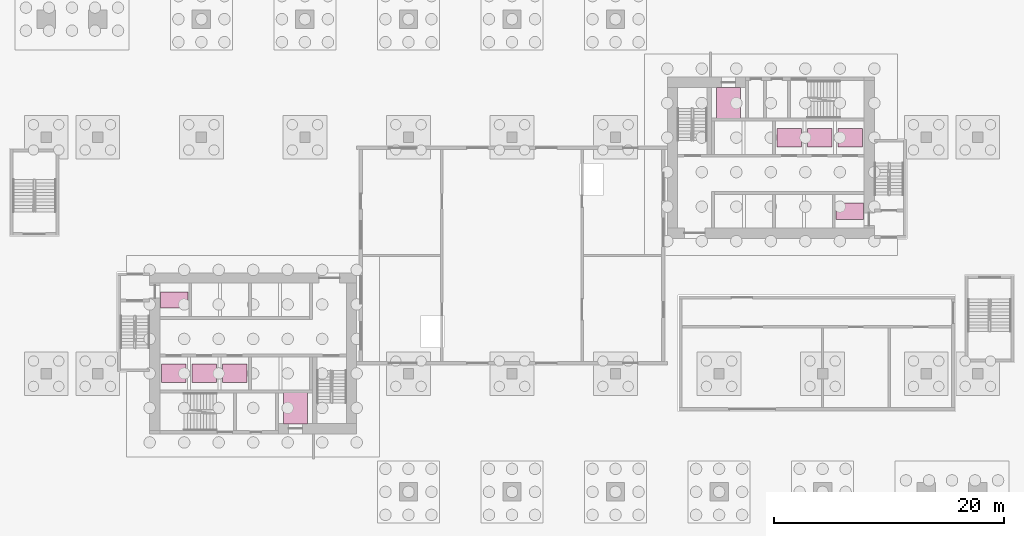
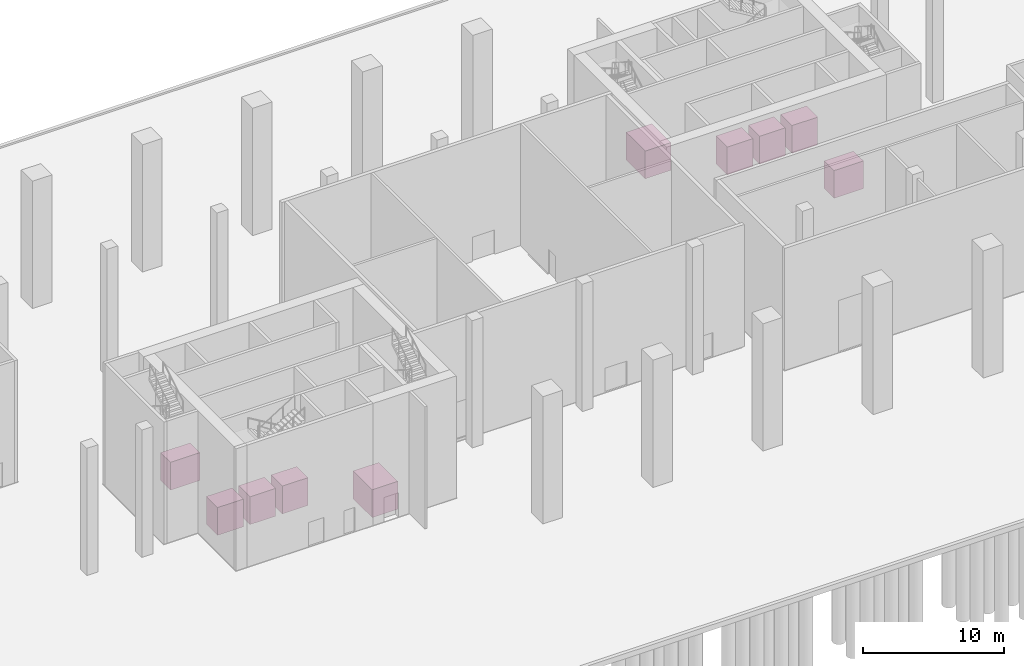
# One storey, part 26 of 26: 10 transport elements.
"""IFC4 building model written with IfcOpenShell, lengths in metres."""

from ifc_helpers import new_model, si_unit, direction, frame, origin, origin_2d, place, context, subcontext, project, spatial, rectangle, extrude, material, type_object, element, save


model = new_model("IFC4")

# Units and contexts
model_context = context("Model", 3, precision=1e-05, world=origin(), true_north=direction((0.0, 1.0)))
body_context = subcontext(model_context, "Body", "Model", "MODEL_VIEW")
ifc_project = project(units=[si_unit("LENGTHUNIT", "METRE"), si_unit("AREAUNIT", "SQUARE_METRE"), si_unit("VOLUMEUNIT", "CUBIC_METRE"), si_unit("PLANEANGLEUNIT", "RADIAN"), si_unit("MASSUNIT", "GRAM", prefix="KILO")], contexts=[model_context])

# Site, building, storey
site_placement = place(None, origin())
site = spatial("IfcSite", under=ifc_project, at=site_placement, CompositionType="ELEMENT")
building_placement = place(site_placement, origin())
building = spatial("IfcBuilding", under=site, at=building_placement, Name="Kajstack Hotel Tower", CompositionType="ELEMENT")
storey_placement = place(building_placement, origin())
storey = spatial("IfcBuildingStorey", under=building, at=storey_placement, Name="L00", CompositionType="ELEMENT", Elevation=0.0)

# Transport elements
ifc_material = material(Name="Stainless steel", Category="steel")
transport_element_type_1 = type_object("IfcTransportElementType", Name="Fire-fighting lift", PredefinedType="ELEVATOR", material=ifc_material)
for number, where, z_axis, x_axis, name in (
    (1, (-29.35009765625, -3.85009765625, 0.0), (0.0, 0.0, 1.0), (1.0, 0.0, 0.0), "Firefighting lift FF1"),
    (2, (29.35009765625, 3.85009765625, 0.0), (0.0, 0.0, 1.0), (1.0, 0.0, 0.0), "Firefighting lift FF2"),
):
    element("IfcTransportElement", number, at=place(storey_placement, frame(where, z_axis=z_axis, x_axis=x_axis)), inside=storey, type_object=transport_element_type_1, Name=name, PredefinedType="ELEVATOR", context=body_context, shape_type="SweptSolid", body=[
        extrude(rectangle(XDim=2.39990234375, YDim=1.39990234375, at=origin_2d()), origin(), (0.0, 0.0, 1.0), 2.39990234375),
    ])
transport_element_type_2 = type_object("IfcTransportElementType", Name="Passenger lift low-rise", PredefinedType="ELEVATOR", material=ifc_material)
for number, where, z_axis, x_axis, name in (
    (3, (-29.39990234375, -10.25, 0.0), (0.0, 0.0, 1.0), (1.0, 0.0, 0.0), "Passenger lift LR1"),
    (4, (-26.75, -10.25, 0.0), (0.0, 0.0, 1.0), (1.0, 0.0, 0.0), "Passenger lift LR2"),
    (5, (-24.10009765625, -10.25, 0.0), (0.0, 0.0, 1.0), (1.0, 0.0, 0.0), "Passenger lift LR3"),
    (6, (29.39990234375, 10.25, 0.0), (0.0, 0.0, 1.0), (1.0, 0.0, 0.0), "Passenger lift LR4"),
    (7, (26.75, 10.25, 0.0), (0.0, 0.0, 1.0), (1.0, 0.0, 0.0), "Passenger lift LR5"),
    (8, (24.10009765625, 10.25, 0.0), (0.0, 0.0, 1.0), (1.0, 0.0, 0.0), "Passenger lift LR6"),
):
    element("IfcTransportElement", number, at=place(storey_placement, frame(where, z_axis=z_axis, x_axis=x_axis)), inside=storey, type_object=transport_element_type_2, Name=name, PredefinedType="ELEVATOR", context=body_context, shape_type="SweptSolid", body=[
        extrude(rectangle(XDim=2.10009765625, YDim=1.60009765625, at=origin_2d()), origin(), (0.0, 0.0, 1.0), 2.39990234375),
    ])
transport_element_type_3 = type_object("IfcTransportElementType", Name="Service lift", PredefinedType="ELEVATOR", material=ifc_material)
for number, where, z_axis, x_axis, name in (
    (9, (-18.824951171875, -13.27490234375, 0.0), (0.0, 0.0, 1.0), (1.0, 0.0, 0.0), "Service lift SV1"),
    (10, (18.824951171875, 13.27490234375, 0.0), (0.0, 0.0, 1.0), (1.0, 0.0, 0.0), "Service lift SV2"),
):
    element("IfcTransportElement", number, at=place(storey_placement, frame(where, z_axis=z_axis, x_axis=x_axis)), inside=storey, type_object=transport_element_type_3, Name=name, PredefinedType="ELEVATOR", context=body_context, shape_type="SweptSolid", body=[
        extrude(rectangle(XDim=2.10009765625, YDim=2.699951171875, at=origin_2d()), origin(), (0.0, 0.0, 1.0), 2.39990234375),
    ])

save(model, "model.ifc")
